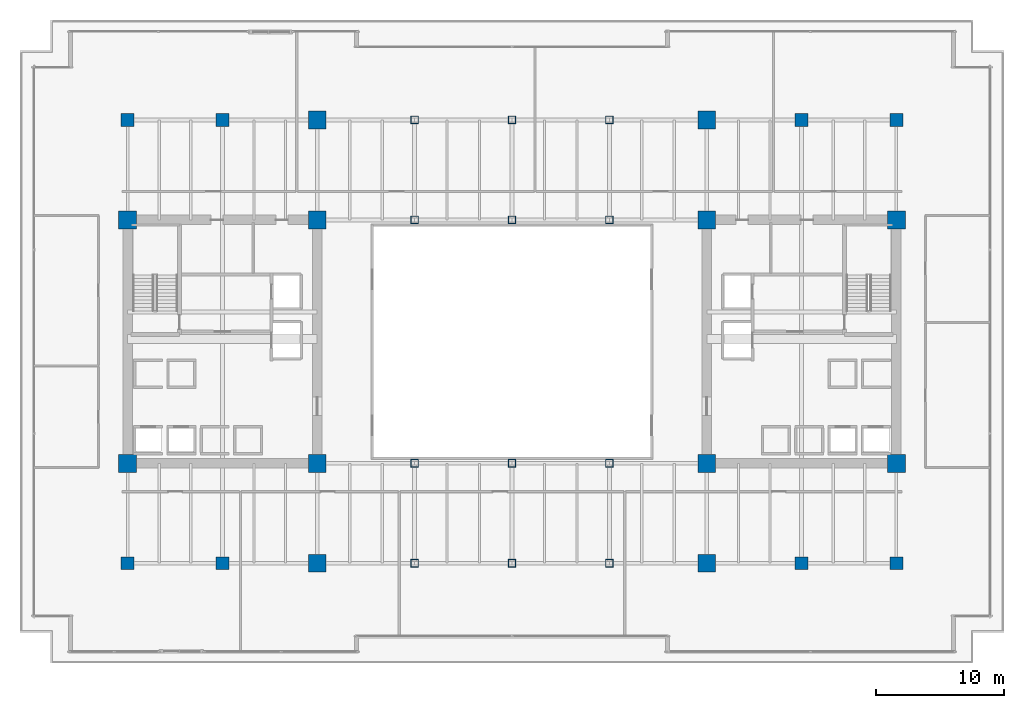
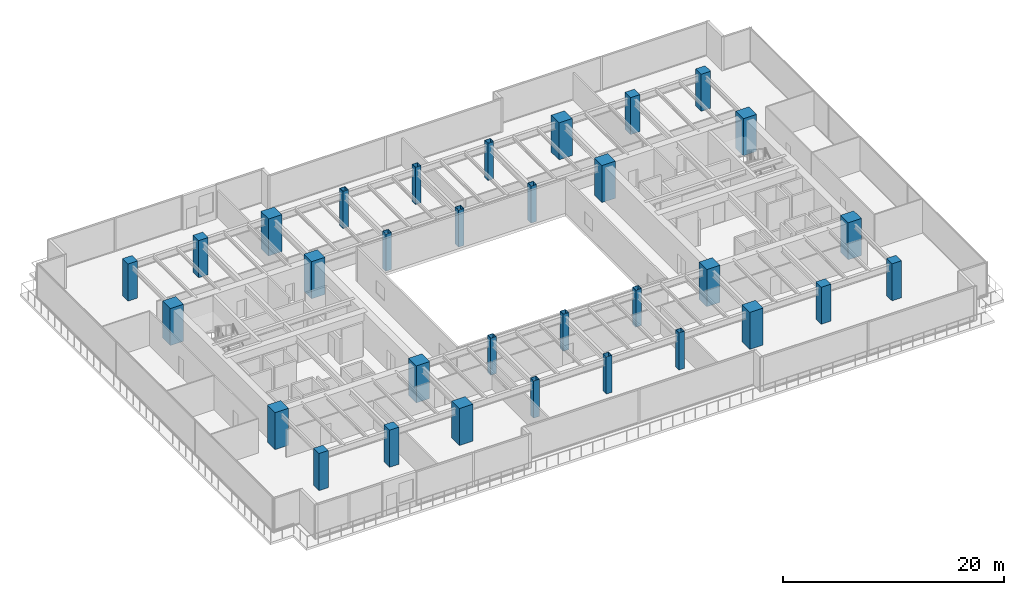
# One storey, part 1 of 36: 32 columns.
"""IFC4 building model written with IfcOpenShell, lengths in metres."""

from ifc_helpers import new_model, si_unit, direction, frame, origin, origin_2d, place, context, subcontext, project, spatial, rectangle, hollow_rectangle, extrude, source, transform, mapped, material, material_profile, profile_set, type_object, type_shapes, element, save


model = new_model("IFC4")

# Units and contexts
model_context = context("Model", 3, precision=1e-05, world=origin(), true_north=direction((0.0, 1.0)))
body_context = subcontext(model_context, "Body", "Model", "MODEL_VIEW")
ifc_project = project(units=[si_unit("LENGTHUNIT", "METRE"), si_unit("AREAUNIT", "SQUARE_METRE"), si_unit("VOLUMEUNIT", "CUBIC_METRE"), si_unit("PLANEANGLEUNIT", "RADIAN"), si_unit("MASSUNIT", "GRAM", prefix="KILO")], contexts=[model_context])

# Site, building, storey
site_placement = place(None, origin())
site = spatial("IfcSite", under=ifc_project, at=site_placement, CompositionType="ELEMENT")
building_placement = place(site_placement, origin())
building = spatial("IfcBuilding", under=site, at=building_placement, Name="Haelvirn Gate Laboratories", CompositionType="ELEMENT")
storey_placement = place(building_placement, frame((0.0, 0.0, 25.199951171875)))
storey = spatial("IfcBuildingStorey", under=building, at=storey_placement, Name="L06", CompositionType="ELEMENT", Elevation=25.199951171875)

# Columns
ifc_material_1 = material(Name="Concrete C60/75", Category="concrete")
ifc_material_profile_1 = material_profile(ifc_material_1, rectangle(XDim=1.0, YDim=1.0, at=origin_2d()), Name="RC-1000x1000")
ifc_profile_set_1 = profile_set([ifc_material_profile_1], Name="Concrete C60/75")
column_type_1 = type_object("IfcColumnType", Name="COL-RC-1000", PredefinedType="COLUMN", material=ifc_profile_set_1)
shared_shape_1 = source(origin(), body_context, "Body", "SweptSolid", [
    extrude(rectangle(XDim=1.0, YDim=1.0, at=origin_2d()), origin(), (0.0, 0.0, 1.0), 4.10009765625),
])
type_shapes(column_type_1, [shared_shape_1])
for number, where, z_axis, x_axis, name in (
    (1, (14.800048828125, 7.0, 0.0), (0.0, 0.0, 1.0), (1.0, 0.0, 0.0), "L06 Column 3B"),
    (2, (14.800048828125, 41.60009765625, 0.0), (0.0, 0.0, 1.0), (1.0, 0.0, 0.0), "L06 Column 3G"),
    (3, (60.0, 7.0, 0.0), (0.0, 0.0, 1.0), (1.0, 0.0, 0.0), "L06 Column 9B"),
    (4, (60.0, 41.60009765625, 0.0), (0.0, 0.0, 1.0), (1.0, 0.0, 0.0), "L06 Column 9G"),
    (5, (7.39990234375, 7.0, 0.0), (0.0, 0.0, 1.0), (1.0, 0.0, 0.0), "L06 Column 2B"),
    (6, (7.39990234375, 41.60009765625, 0.0), (0.0, 0.0, 1.0), (1.0, 0.0, 0.0), "L06 Column 2G"),
    (7, (67.39990234375, 7.0, 0.0), (0.0, 0.0, 1.0), (1.0, 0.0, 0.0), "L06 Column 10B"),
    (8, (67.39990234375, 41.60009765625, 0.0), (0.0, 0.0, 1.0), (1.0, 0.0, 0.0), "L06 Column 10G"),
):
    element("IfcColumn", number, at=place(storey_placement, frame(where, z_axis=z_axis, x_axis=x_axis)), inside=storey, type_object=column_type_1, Name=name, PredefinedType="COLUMN", context=body_context, shape_type="MappedRepresentation", body=[
        mapped(shared_shape_1, transform((0.0, 0.0, 0.0), scale=1.0)),
    ])
ifc_material_2 = material(Name="Concrete C70/85", Category="concrete")
ifc_material_profile_2 = material_profile(ifc_material_2, rectangle(XDim=1.39990234375, YDim=1.39990234375, at=origin_2d()), Name="SRC-1400x1400")
ifc_profile_set_2 = profile_set([ifc_material_profile_2], Name="Concrete C70/85")
column_type_2 = type_object("IfcColumnType", Name="COL-SRC-1400", PredefinedType="COLUMN", material=ifc_profile_set_2)
shared_shape_2 = source(origin(), body_context, "Body", "SweptSolid", [
    extrude(rectangle(XDim=1.39990234375, YDim=1.39990234375, at=origin_2d()), origin(), (0.0, 0.0, 1.0), 4.10009765625),
])
type_shapes(column_type_2, [shared_shape_2])
for number, where, z_axis, x_axis, name in (
    (9, (22.199951171875, 7.0, 0.0), (0.0, 0.0, 1.0), (1.0, 0.0, 0.0), "L06 Column 4B"),
    (10, (7.39990234375, 14.800048828125, 0.0), (0.0, 0.0, 1.0), (1.0, 0.0, 0.0), "L06 Column 2C"),
    (11, (22.199951171875, 14.800048828125, 0.0), (0.0, 0.0, 1.0), (1.0, 0.0, 0.0), "L06 Column 4C"),
    (12, (7.39990234375, 33.800048828125, 0.0), (0.0, 0.0, 1.0), (1.0, 0.0, 0.0), "L06 Column 2F"),
    (13, (22.199951171875, 33.800048828125, 0.0), (0.0, 0.0, 1.0), (1.0, 0.0, 0.0), "L06 Column 4F"),
    (14, (22.199951171875, 41.60009765625, 0.0), (0.0, 0.0, 1.0), (1.0, 0.0, 0.0), "L06 Column 4G"),
    (15, (52.60009765625, 7.0, 0.0), (0.0, 0.0, 1.0), (1.0, 0.0, 0.0), "L06 Column 8B"),
    (16, (52.60009765625, 14.800048828125, 0.0), (0.0, 0.0, 1.0), (1.0, 0.0, 0.0), "L06 Column 8C"),
    (17, (67.39990234375, 14.800048828125, 0.0), (0.0, 0.0, 1.0), (1.0, 0.0, 0.0), "L06 Column 10C"),
    (18, (52.60009765625, 33.800048828125, 0.0), (0.0, 0.0, 1.0), (1.0, 0.0, 0.0), "L06 Column 8F"),
    (19, (67.39990234375, 33.800048828125, 0.0), (0.0, 0.0, 1.0), (1.0, 0.0, 0.0), "L06 Column 10F"),
    (20, (52.60009765625, 41.60009765625, 0.0), (0.0, 0.0, 1.0), (1.0, 0.0, 0.0), "L06 Column 8G"),
):
    element("IfcColumn", number, at=place(storey_placement, frame(where, z_axis=z_axis, x_axis=x_axis)), inside=storey, type_object=column_type_2, Name=name, PredefinedType="COLUMN", context=body_context, shape_type="MappedRepresentation", body=[
        mapped(shared_shape_2, transform((0.0, 0.0, 0.0), scale=1.0)),
    ])
ifc_material_3 = material(Name="Steel SM420", Category="steel")
ifc_material_profile_3 = material_profile(ifc_material_3, hollow_rectangle(XDim=0.60009765625, YDim=0.60009765625, WallThickness=0.028076171875, at=origin_2d()), Name="BOX-600x600x28")
ifc_profile_set_3 = profile_set([ifc_material_profile_3], Name="Steel SM420")
column_type_3 = type_object("IfcColumnType", Name="COL-BOX-600", PredefinedType="COLUMN", material=ifc_profile_set_3)
shared_shape_3 = source(origin(), body_context, "Body", "SweptSolid", [
    extrude(hollow_rectangle(XDim=0.60009765625, YDim=0.60009765625, WallThickness=0.028076171875, at=origin_2d()), origin(), (0.0, 0.0, 1.0), 4.10009765625),
])
type_shapes(column_type_3, [shared_shape_3])
for number, where, z_axis, x_axis, name in (
    (21, (29.800048828125, 7.0, 0.0), (0.0, 0.0, 1.0), (1.0, 0.0, 0.0), "L06 Column 5B"),
    (22, (29.800048828125, 14.800048828125, 0.0), (0.0, 0.0, 1.0), (1.0, 0.0, 0.0), "L06 Column 5C"),
    (23, (29.800048828125, 33.800048828125, 0.0), (0.0, 0.0, 1.0), (1.0, 0.0, 0.0), "L06 Column 5F"),
    (24, (29.800048828125, 41.60009765625, 0.0), (0.0, 0.0, 1.0), (1.0, 0.0, 0.0), "L06 Column 5G"),
    (25, (37.39990234375, 7.0, 0.0), (0.0, 0.0, 1.0), (1.0, 0.0, 0.0), "L06 Column 6B"),
    (26, (37.39990234375, 14.800048828125, 0.0), (0.0, 0.0, 1.0), (1.0, 0.0, 0.0), "L06 Column 6C"),
    (27, (37.39990234375, 33.800048828125, 0.0), (0.0, 0.0, 1.0), (1.0, 0.0, 0.0), "L06 Column 6F"),
    (28, (37.39990234375, 41.60009765625, 0.0), (0.0, 0.0, 1.0), (1.0, 0.0, 0.0), "L06 Column 6G"),
    (29, (45.0, 7.0, 0.0), (0.0, 0.0, 1.0), (1.0, 0.0, 0.0), "L06 Column 7B"),
    (30, (45.0, 14.800048828125, 0.0), (0.0, 0.0, 1.0), (1.0, 0.0, 0.0), "L06 Column 7C"),
    (31, (45.0, 33.800048828125, 0.0), (0.0, 0.0, 1.0), (1.0, 0.0, 0.0), "L06 Column 7F"),
    (32, (45.0, 41.60009765625, 0.0), (0.0, 0.0, 1.0), (1.0, 0.0, 0.0), "L06 Column 7G"),
):
    element("IfcColumn", number, at=place(storey_placement, frame(where, z_axis=z_axis, x_axis=x_axis)), inside=storey, type_object=column_type_3, Name=name, PredefinedType="COLUMN", context=body_context, shape_type="MappedRepresentation", body=[
        mapped(shared_shape_3, transform((0.0, 0.0, 0.0), scale=1.0)),
    ])

save(model, "model.ifc")
